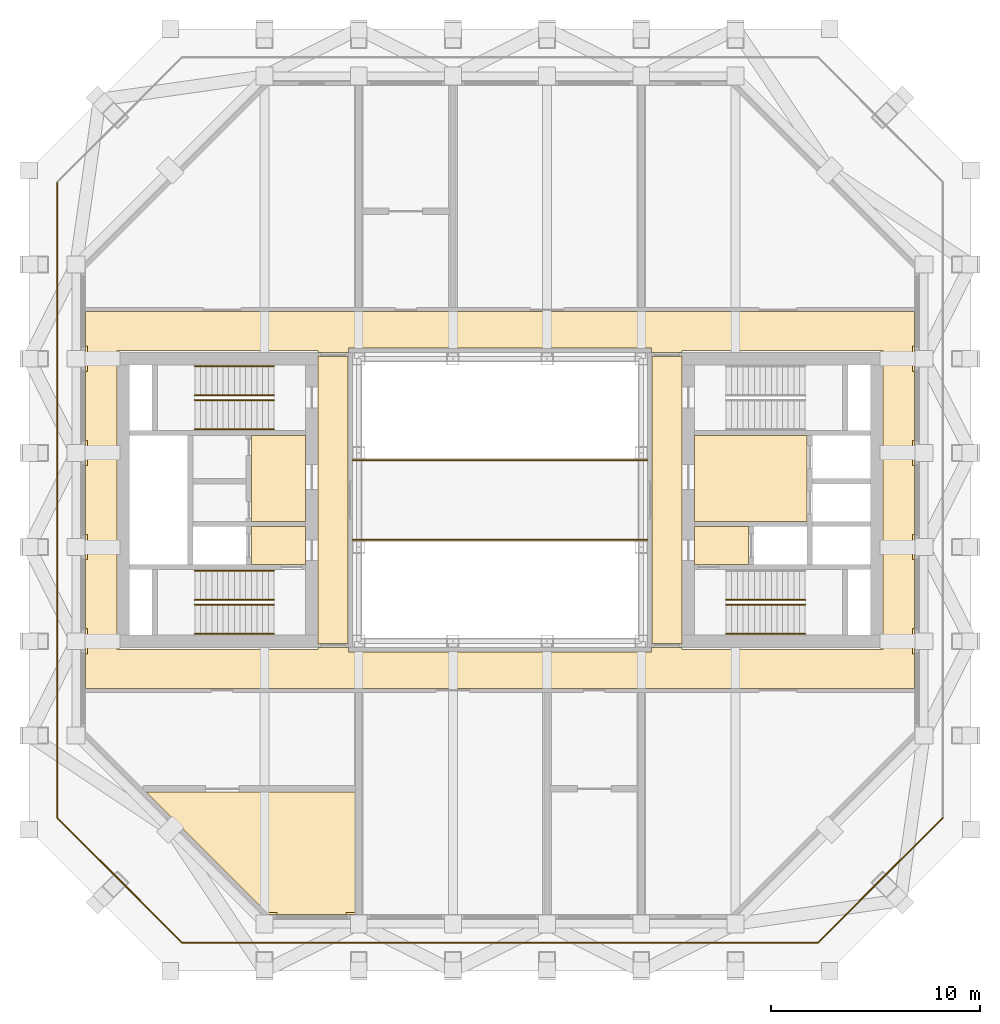
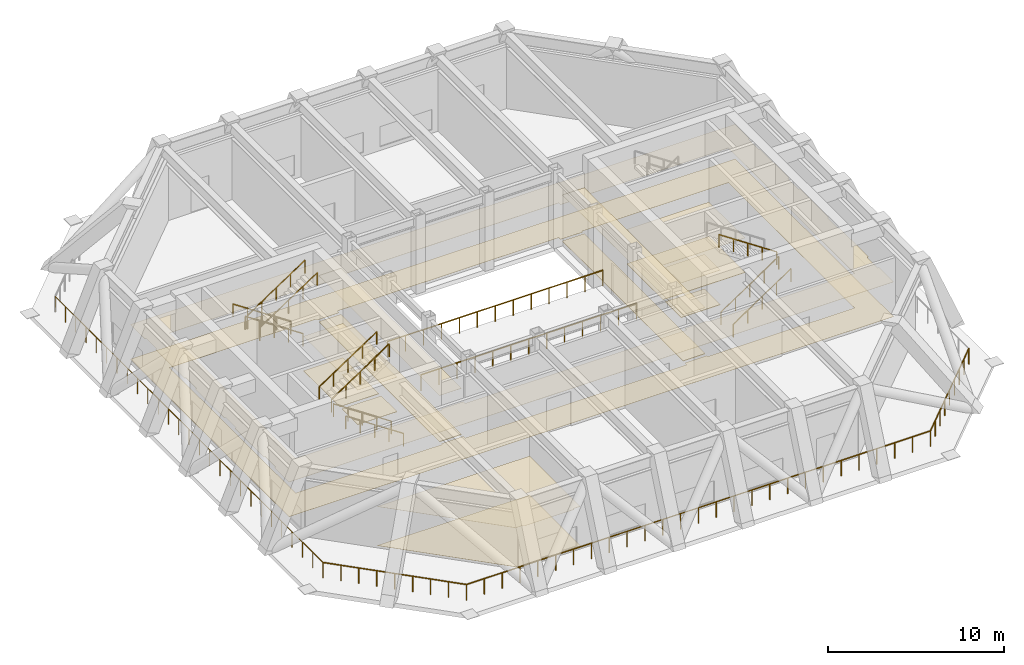
# One storey, part 7 of 8: 17 railings, 5 coverings.
"""IFC4 building model written with IfcOpenShell, lengths in metres."""

from ifc_helpers import new_model, si_unit, direction, frame, origin, origin_2d, place, context, subcontext, project, spatial, line, indexed_curve, circle, outline, extrude, material, layer, layer_set, type_object, element, save


model = new_model("IFC4")

# Units and contexts
model_context = context("Model", 3, precision=1e-05, world=origin(), true_north=direction((0.0, 1.0)))
body_context = subcontext(model_context, "Body", "Model", "MODEL_VIEW")
ifc_project = project(units=[si_unit("LENGTHUNIT", "METRE"), si_unit("AREAUNIT", "SQUARE_METRE"), si_unit("VOLUMEUNIT", "CUBIC_METRE"), si_unit("PLANEANGLEUNIT", "RADIAN"), si_unit("MASSUNIT", "GRAM", prefix="KILO")], contexts=[model_context])

# Site, building, storey
site_placement = place(None, origin())
site = spatial("IfcSite", under=ifc_project, at=site_placement, CompositionType="ELEMENT")
building_placement = place(site_placement, origin())
building = spatial("IfcBuilding", under=site, at=building_placement, Name="Msasa Ring Tower", CompositionType="ELEMENT")
storey_placement = place(building_placement, frame((0.0, 0.0, 190.39990234375)))
storey = spatial("IfcBuildingStorey", under=building, at=storey_placement, Name="L50", CompositionType="ELEMENT", Elevation=190.39990234375)

# Coverings
ifc_material_1 = material(Name="Gypsum plasterboard on a steel suspension grid", Category="steel")
ifc_layer_1 = layer(ifc_material_1, 0.014892578125)
ifc_layer_set_1 = layer_set([ifc_layer_1], Name="C1 SUSPENDED PLASTERBOARD CEILING 15")
covering_type_1 = type_object("IfcCoveringType", Name="C1 SUSPENDED PLASTERBOARD CEILING 15", PredefinedType="CEILING", material=ifc_layer_set_1)
covering_1_placement = place(storey_placement, frame((0.0, 0.0, 2.400146484375)))
element("IfcCovering", 1, at=covering_1_placement, inside=storey, type_object=covering_type_1, Name="Suspended Plasterboard Ceiling 15 circulation L50", PredefinedType="CEILING", context=body_context, shape_type="SweptSolid", body=[
    extrude(outline(indexed_curve([(-19.799560546875, -8.99951171875), (-19.799560546875, -7.3505859375), (-19.713623046875, -7.3505859375), (-19.713623046875, -6.1494140625), (-19.799560546875, -6.1494140625), (-19.799560546875, -2.8505859375), (-19.713623046875, -2.8505859375), (-19.713623046875, -1.6494140625), (-19.799560546875, -1.6494140625), (-19.799560546875, 1.6494140625), (-19.713623046875, 1.6494140625), (-19.713623046875, 2.8505859375), (-19.799560546875, 2.8505859375), (-19.799560546875, 6.1494140625), (-19.713623046875, 6.1494140625), (-19.713623046875, 7.3505859375), (-19.799560546875, 7.3505859375), (-19.799560546875, 8.99951171875), (19.799560546875, 8.99951171875), (19.799560546875, 7.3505859375), (19.713623046875, 7.3505859375), (19.713623046875, 6.1494140625), (19.799560546875, 6.1494140625), (19.799560546875, 2.8505859375), (19.713623046875, 2.8505859375), (19.713623046875, 1.6494140625), (19.799560546875, 1.6494140625), (19.799560546875, -1.6494140625), (19.713623046875, -1.6494140625), (19.713623046875, -2.8505859375), (19.799560546875, -2.8505859375), (19.799560546875, -6.1494140625), (19.713623046875, -6.1494140625), (19.713623046875, -7.3505859375), (19.799560546875, -7.3505859375), (19.799560546875, -8.99951171875)], segments=[line(1, 2, 3, 4, 5, 6, 7, 8, 9, 10, 11, 12, 13, 14, 15, 16, 17, 18, 19, 20, 21, 22, 23, 24, 25, 26, 27, 28, 29, 30, 31, 32, 33, 34, 35, 36, 1)], self_intersect=False), holes=[indexed_curve([(8.699462890625, -7.150390625), (18.300537109375, -7.150390625), (18.300537109375, 7.150390625), (8.699462890625, 7.150390625), (8.699462890625, 7.050537109375), (7.25, 7.050537109375), (7.25, 7.25048828125), (-7.25, 7.25048828125), (-7.25, 7.050537109375), (-8.699462890625, 7.050537109375), (-8.699462890625, 7.150390625), (-18.300537109375, 7.150390625), (-18.300537109375, -7.150390625), (-8.699462890625, -7.150390625), (-8.699462890625, -7.050537109375), (-7.25, -7.050537109375), (-7.25, -7.25048828125), (7.25, -7.25048828125), (7.25, -7.050537109375), (8.699462890625, -7.050537109375)], segments=[line(1, 2, 3, 4, 5, 6, 7, 8, 9, 10, 11, 12, 13, 14, 15, 16, 17, 18, 19, 20, 1)], self_intersect=False)]), origin(), (0.0, 0.0, 1.0), 0.014892578125),
    extrude(outline(indexed_curve([(-9.300537109375, -3.074462890625), (-11.87451171875, -3.074462890625), (-11.87451171875, -1.275390625), (-9.300537109375, -1.275390625)], segments=[line(1, 2, 3, 4, 1)], self_intersect=False)), origin(), (0.0, 0.0, 1.0), 0.014892578125),
    extrude(outline(indexed_curve([(-11.87451171875, -1.0244140625), (-11.87451171875, 3.074462890625), (-9.300537109375, 3.074462890625), (-9.300537109375, -1.0244140625)], segments=[line(1, 2, 3, 4, 1)], self_intersect=False)), origin(), (0.0, 0.0, 1.0), 0.014892578125),
    extrude(outline(indexed_curve([(11.87451171875, -3.074462890625), (9.300537109375, -3.074462890625), (9.300537109375, -1.275390625), (11.87451171875, -1.275390625)], segments=[line(1, 2, 3, 4, 1)], self_intersect=False)), origin(), (0.0, 0.0, 1.0), 0.014892578125),
    extrude(outline(indexed_curve([(9.300537109375, -1.0244140625), (9.300537109375, 3.074462890625), (14.674560546875, 3.074462890625), (14.674560546875, -1.0244140625)], segments=[line(1, 2, 3, 4, 1)], self_intersect=False)), origin(), (0.0, 0.0, 1.0), 0.014892578125),
])
covering_2_placement = place(storey_placement, frame((0.0, 0.0, 3.2001953125)))
element("IfcCovering", 2, at=covering_2_placement, inside=storey, type_object=covering_type_1, Name="Suspended Plasterboard Ceiling 15 public rooms L50", PredefinedType="CEILING", context=body_context, shape_type="SweptSolid", body=[
    extrude(outline(indexed_curve([(-7.25048828125, 6.849609375), (-7.25048828125, -6.849609375), (-8.699462890625, -6.849609375), (-8.699462890625, 6.849609375)], segments=[line(1, 2, 3, 4, 1)], self_intersect=False)), origin(), (0.0, 0.0, 1.0), 0.014892578125),
    extrude(outline(indexed_curve([(8.699462890625, 6.849609375), (8.699462890625, -6.849609375), (7.25048828125, -6.849609375), (7.25048828125, 6.849609375)], segments=[line(1, 2, 3, 4, 1)], self_intersect=False)), origin(), (0.0, 0.0, 1.0), 0.014892578125),
])
covering_3_placement = place(storey_placement, frame((0.0, 0.0, 2.7001953125)))
element("IfcCovering", 3, at=covering_3_placement, inside=storey, type_object=covering_type_1, Name="Suspended Plasterboard Ceiling 15 L50", PredefinedType="CEILING", context=body_context, shape_type="SweptSolid", body=[
    extrude(outline(indexed_curve([(-6.910400390625, -19.713623046875), (-7.3505859375, -19.713623046875), (-7.3505859375, -19.799560546875), (-10.6494140625, -19.799560546875), (-10.6494140625, -19.713623046875), (-11.1494140625, -19.713623046875), (-16.90234375, -13.96044921875), (-6.910400390625, -13.96044921875)], segments=[line(1, 2, 3, 4, 5, 6, 7, 8, 1)], self_intersect=False)), origin(), (0.0, 0.0, 1.0), 0.014892578125),
])
ifc_material_2 = material(Name="Honed granite tiles on a mortar bed", Category="masonry")
ifc_layer_2 = layer(ifc_material_2, 0.030029296875)
ifc_layer_set_2 = layer_set([ifc_layer_2], Name="F1 HONED GRANITE ON BEDDING 30")
covering_type_2 = type_object("IfcCoveringType", Name="F1 HONED GRANITE ON BEDDING 30", PredefinedType="FLOORING", material=ifc_layer_set_2)
covering_4_placement = place(storey_placement, origin())
element("IfcCovering", 4, at=covering_4_placement, inside=storey, type_object=covering_type_2, Name="Honed Granite On Bedding 30 L50", PredefinedType="FLOORING", context=body_context, shape_type="SweptSolid", body=[
    extrude(outline(indexed_curve([(-11.87451171875, -3.074462890625), (-11.87451171875, -1.275390625), (-9.300537109375, -1.275390625), (-9.300537109375, -3.074462890625)], segments=[line(1, 2, 3, 4, 1)], self_intersect=False)), origin(), (0.0, 0.0, 1.0), 0.030029296875),
    extrude(outline(indexed_curve([(-11.87451171875, 3.074462890625), (-9.300537109375, 3.074462890625), (-9.300537109375, -1.0244140625), (-11.87451171875, -1.0244140625)], segments=[line(1, 2, 3, 4, 1)], self_intersect=False)), origin(), (0.0, 0.0, 1.0), 0.030029296875),
    extrude(outline(indexed_curve([(-8.699462890625, 6.849609375), (-7.25048828125, 6.849609375), (-7.25048828125, -6.849609375), (-8.699462890625, -6.849609375)], segments=[line(1, 2, 3, 4, 1)], self_intersect=False)), origin(), (0.0, 0.0, 1.0), 0.030029296875),
    extrude(outline(indexed_curve([(7.25048828125, -6.849609375), (7.25048828125, 6.849609375), (8.699462890625, 6.849609375), (8.699462890625, -6.849609375)], segments=[line(1, 2, 3, 4, 1)], self_intersect=False)), origin(), (0.0, 0.0, 1.0), 0.030029296875),
    extrude(outline(indexed_curve([(9.300537109375, -1.275390625), (11.87451171875, -1.275390625), (11.87451171875, -3.074462890625), (9.300537109375, -3.074462890625)], segments=[line(1, 2, 3, 4, 1)], self_intersect=False)), origin(), (0.0, 0.0, 1.0), 0.030029296875),
    extrude(outline(indexed_curve([(9.300537109375, 3.074462890625), (14.674560546875, 3.074462890625), (14.674560546875, -1.0244140625), (9.300537109375, -1.0244140625)], segments=[line(1, 2, 3, 4, 1)], self_intersect=False)), origin(), (0.0, 0.0, 1.0), 0.030029296875),
])
ifc_material_3 = material(Name="Wool-blend carpet on felt underlay", Category="textile")
ifc_layer_3 = layer(ifc_material_3, 0.011962890625)
ifc_layer_set_3 = layer_set([ifc_layer_3], Name="F2 CARPET ON UNDERLAY 12")
covering_type_3 = type_object("IfcCoveringType", Name="F2 CARPET ON UNDERLAY 12", PredefinedType="FLOORING", material=ifc_layer_set_3)
covering_5_placement = place(storey_placement, origin())
element("IfcCovering", 5, at=covering_5_placement, inside=storey, type_object=covering_type_3, Name="Carpet On Underlay 12 L50", PredefinedType="FLOORING", context=body_context, shape_type="SweptSolid", body=[
    extrude(outline(indexed_curve([(-19.799560546875, -8.99951171875), (-19.799560546875, 8.99951171875), (19.799560546875, 8.99951171875), (19.799560546875, -8.99951171875)], segments=[line(1, 2, 3, 4, 1)], self_intersect=False), holes=[indexed_curve([(8.699462890625, -7.150390625), (18.300537109375, -7.150390625), (18.300537109375, 7.150390625), (8.699462890625, 7.150390625), (8.699462890625, 7.050537109375), (7.25, 7.050537109375), (7.25, 7.25048828125), (-7.25, 7.25048828125), (-7.25, 7.050537109375), (-8.699462890625, 7.050537109375), (-8.699462890625, 7.150390625), (-18.300537109375, 7.150390625), (-18.300537109375, -7.150390625), (-8.699462890625, -7.150390625), (-8.699462890625, -7.050537109375), (-7.25, -7.050537109375), (-7.25, -7.25048828125), (7.25, -7.25048828125), (7.25, -7.050537109375), (8.699462890625, -7.050537109375)], segments=[line(1, 2, 3, 4, 5, 6, 7, 8, 9, 10, 11, 12, 13, 14, 15, 16, 17, 18, 19, 20, 1)], self_intersect=False)]), origin(), (0.0, 0.0, 1.0), 0.01220703125),
    extrude(outline(indexed_curve([(-16.90234375, -13.96044921875), (-6.910400390625, -13.96044921875), (-6.910400390625, -19.799560546875), (-11.0634765625, -19.799560546875)], segments=[line(1, 2, 3, 4, 1)], self_intersect=False)), origin(), (0.0, 0.0, 1.0), 0.01220703125),
])

# Railings
ifc_material_4 = material(Name="Stainless steel and laminated glass", Category="steel")
railing_type_1 = type_object("IfcRailingType", Name="GR2 TERRACE GUARD 1100", PredefinedType="GUARDRAIL", material=ifc_material_4)
railing_1_placement = place(storey_placement, frame((-15.19091796875, -21.14990234375, 0.0)))
element("IfcRailing", 6, at=railing_1_placement, inside=storey, type_object=railing_type_1, Name="Refuge terrace guard S L50", PredefinedType="GUARDRAIL", context=body_context, shape_type="SweptSolid", body=[
    extrude(circle(Radius=0.02392578125, at=origin_2d()), frame((0.0, 0.0, 1.076171875), z_axis=(1.0, 0.0, 0.0), x_axis=(0.0, 1.0, 0.0)), (0.0, 0.0, 1.0), 30.3818359375),
    extrude(circle(Radius=0.02099609375, at=origin_2d()), origin(), (0.0, 0.0, 1.0), 1.052001953125),
    extrude(circle(Radius=0.02099609375, at=origin_2d()), frame((1.16845703125, 0.0, 0.0)), (0.0, 0.0, 1.0), 1.052001953125),
    extrude(circle(Radius=0.02099609375, at=origin_2d()), frame((2.337158203125, 0.0, 0.0)), (0.0, 0.0, 1.0), 1.052001953125),
    extrude(circle(Radius=0.02099609375, at=origin_2d()), frame((3.505615234375, 0.0, 0.0)), (0.0, 0.0, 1.0), 1.052001953125),
    extrude(circle(Radius=0.02099609375, at=origin_2d()), frame((4.674072265625, 0.0, 0.0)), (0.0, 0.0, 1.0), 1.052001953125),
    extrude(circle(Radius=0.02099609375, at=origin_2d()), frame((5.8427734375, 0.0, 0.0)), (0.0, 0.0, 1.0), 1.052001953125),
    extrude(circle(Radius=0.02099609375, at=origin_2d()), frame((7.01123046875, 0.0, 0.0)), (0.0, 0.0, 1.0), 1.052001953125),
    extrude(circle(Radius=0.02099609375, at=origin_2d()), frame((8.1796875, 0.0, 0.0)), (0.0, 0.0, 1.0), 1.052001953125),
    extrude(circle(Radius=0.02099609375, at=origin_2d()), frame((9.34814453125, 0.0, 0.0)), (0.0, 0.0, 1.0), 1.052001953125),
    extrude(circle(Radius=0.02099609375, at=origin_2d()), frame((10.516845703125, 0.0, 0.0)), (0.0, 0.0, 1.0), 1.052001953125),
    extrude(circle(Radius=0.02099609375, at=origin_2d()), frame((11.685302734375, 0.0, 0.0)), (0.0, 0.0, 1.0), 1.052001953125),
    extrude(circle(Radius=0.02099609375, at=origin_2d()), frame((12.853759765625, 0.0, 0.0)), (0.0, 0.0, 1.0), 1.052001953125),
    extrude(circle(Radius=0.02099609375, at=origin_2d()), frame((14.0224609375, 0.0, 0.0)), (0.0, 0.0, 1.0), 1.052001953125),
    extrude(circle(Radius=0.02099609375, at=origin_2d()), frame((15.19091796875, 0.0, 0.0)), (0.0, 0.0, 1.0), 1.052001953125),
    extrude(circle(Radius=0.02099609375, at=origin_2d()), frame((16.359375, 0.0, 0.0)), (0.0, 0.0, 1.0), 1.052001953125),
    extrude(circle(Radius=0.02099609375, at=origin_2d()), frame((17.528076171875, 0.0, 0.0)), (0.0, 0.0, 1.0), 1.052001953125),
    extrude(circle(Radius=0.02099609375, at=origin_2d()), frame((18.696533203125, 0.0, 0.0)), (0.0, 0.0, 1.0), 1.052001953125),
    extrude(circle(Radius=0.02099609375, at=origin_2d()), frame((19.864990234375, 0.0, 0.0)), (0.0, 0.0, 1.0), 1.052001953125),
    extrude(circle(Radius=0.02099609375, at=origin_2d()), frame((21.03369140625, 0.0, 0.0)), (0.0, 0.0, 1.0), 1.052001953125),
    extrude(circle(Radius=0.02099609375, at=origin_2d()), frame((22.2021484375, 0.0, 0.0)), (0.0, 0.0, 1.0), 1.052001953125),
    extrude(circle(Radius=0.02099609375, at=origin_2d()), frame((23.37060546875, 0.0, 0.0)), (0.0, 0.0, 1.0), 1.052001953125),
    extrude(circle(Radius=0.02099609375, at=origin_2d()), frame((24.5390625, 0.0, 0.0)), (0.0, 0.0, 1.0), 1.052001953125),
    extrude(circle(Radius=0.02099609375, at=origin_2d()), frame((25.707763671875, 0.0, 0.0)), (0.0, 0.0, 1.0), 1.052001953125),
    extrude(circle(Radius=0.02099609375, at=origin_2d()), frame((26.876220703125, 0.0, 0.0)), (0.0, 0.0, 1.0), 1.052001953125),
    extrude(circle(Radius=0.02099609375, at=origin_2d()), frame((28.044677734375, 0.0, 0.0)), (0.0, 0.0, 1.0), 1.052001953125),
    extrude(circle(Radius=0.02099609375, at=origin_2d()), frame((29.21337890625, 0.0, 0.0)), (0.0, 0.0, 1.0), 1.052001953125),
    extrude(circle(Radius=0.02099609375, at=origin_2d()), frame((30.3818359375, 0.0, 0.0)), (0.0, 0.0, 1.0), 1.052001953125),
])
railing_2_placement = place(storey_placement, frame((15.19091796875, -21.14990234375, 0.0)))
element("IfcRailing", 7, at=railing_2_placement, inside=storey, type_object=railing_type_1, Name="Refuge terrace guard SE L50", PredefinedType="GUARDRAIL", context=body_context, shape_type="SweptSolid", body=[
    extrude(circle(Radius=0.02392578125, at=origin_2d()), frame((0.0, 0.0, 1.076171875), z_axis=(0.707106781187, 0.707106781187, 0.0), x_axis=(-0.707106781187, 0.707106781187, 0.0)), (0.0, 0.0, 1.0), 8.42724609375),
    extrude(circle(Radius=0.02099609375, at=origin_2d()), origin(), (0.0, 0.0, 1.0), 1.052001953125),
    extrude(circle(Radius=0.02099609375, at=origin_2d()), frame((0.744873046875, 0.744873046875, 0.0)), (0.0, 0.0, 1.0), 1.052001953125),
    extrude(circle(Radius=0.02099609375, at=origin_2d()), frame((1.48974609375, 1.48974609375, 0.0)), (0.0, 0.0, 1.0), 1.052001953125),
    extrude(circle(Radius=0.02099609375, at=origin_2d()), frame((2.234619140625, 2.234619140625, 0.0)), (0.0, 0.0, 1.0), 1.052001953125),
    extrude(circle(Radius=0.02099609375, at=origin_2d()), frame((2.9794921875, 2.9794921875, 0.0)), (0.0, 0.0, 1.0), 1.052001953125),
    extrude(circle(Radius=0.02099609375, at=origin_2d()), frame((3.724365234375, 3.724365234375, 0.0)), (0.0, 0.0, 1.0), 1.052001953125),
    extrude(circle(Radius=0.02099609375, at=origin_2d()), frame((4.46923828125, 4.46923828125, 0.0)), (0.0, 0.0, 1.0), 1.052001953125),
    extrude(circle(Radius=0.02099609375, at=origin_2d()), frame((5.214111328125, 5.214111328125, 0.0)), (0.0, 0.0, 1.0), 1.052001953125),
    extrude(circle(Radius=0.02099609375, at=origin_2d()), frame((5.958984375, 5.958984375, 0.0)), (0.0, 0.0, 1.0), 1.052001953125),
])
railing_3_placement = place(storey_placement, frame((-21.14990234375, 15.19091796875, 0.0)))
element("IfcRailing", 8, at=railing_3_placement, inside=storey, type_object=railing_type_1, Name="Refuge terrace guard W L50", PredefinedType="GUARDRAIL", context=body_context, shape_type="SweptSolid", body=[
    extrude(circle(Radius=0.02392578125, at=origin_2d()), frame((0.0, 0.0, 1.076171875), z_axis=(0.0, -1.0, 0.0), x_axis=(1.0, 0.0, 0.0)), (0.0, 0.0, 1.0), 30.3818359375),
    extrude(circle(Radius=0.02099609375, at=origin_2d()), origin(), (0.0, 0.0, 1.0), 1.052001953125),
    extrude(circle(Radius=0.02099609375, at=origin_2d()), frame((0.0, -1.16845703125, 0.0)), (0.0, 0.0, 1.0), 1.052001953125),
    extrude(circle(Radius=0.02099609375, at=origin_2d()), frame((0.0, -2.337158203125, 0.0)), (0.0, 0.0, 1.0), 1.052001953125),
    extrude(circle(Radius=0.02099609375, at=origin_2d()), frame((0.0, -3.505615234375, 0.0)), (0.0, 0.0, 1.0), 1.052001953125),
    extrude(circle(Radius=0.02099609375, at=origin_2d()), frame((0.0, -4.674072265625, 0.0)), (0.0, 0.0, 1.0), 1.052001953125),
    extrude(circle(Radius=0.02099609375, at=origin_2d()), frame((0.0, -5.8427734375, 0.0)), (0.0, 0.0, 1.0), 1.052001953125),
    extrude(circle(Radius=0.02099609375, at=origin_2d()), frame((0.0, -7.01123046875, 0.0)), (0.0, 0.0, 1.0), 1.052001953125),
    extrude(circle(Radius=0.02099609375, at=origin_2d()), frame((0.0, -8.1796875, 0.0)), (0.0, 0.0, 1.0), 1.052001953125),
    extrude(circle(Radius=0.02099609375, at=origin_2d()), frame((0.0, -9.34814453125, 0.0)), (0.0, 0.0, 1.0), 1.052001953125),
    extrude(circle(Radius=0.02099609375, at=origin_2d()), frame((0.0, -10.516845703125, 0.0)), (0.0, 0.0, 1.0), 1.052001953125),
    extrude(circle(Radius=0.02099609375, at=origin_2d()), frame((0.0, -11.685302734375, 0.0)), (0.0, 0.0, 1.0), 1.052001953125),
    extrude(circle(Radius=0.02099609375, at=origin_2d()), frame((0.0, -12.853759765625, 0.0)), (0.0, 0.0, 1.0), 1.052001953125),
    extrude(circle(Radius=0.02099609375, at=origin_2d()), frame((0.0, -14.0224609375, 0.0)), (0.0, 0.0, 1.0), 1.052001953125),
    extrude(circle(Radius=0.02099609375, at=origin_2d()), frame((0.0, -15.19091796875, 0.0)), (0.0, 0.0, 1.0), 1.052001953125),
    extrude(circle(Radius=0.02099609375, at=origin_2d()), frame((0.0, -16.359375, 0.0)), (0.0, 0.0, 1.0), 1.052001953125),
    extrude(circle(Radius=0.02099609375, at=origin_2d()), frame((0.0, -17.528076171875, 0.0)), (0.0, 0.0, 1.0), 1.052001953125),
    extrude(circle(Radius=0.02099609375, at=origin_2d()), frame((0.0, -18.696533203125, 0.0)), (0.0, 0.0, 1.0), 1.052001953125),
    extrude(circle(Radius=0.02099609375, at=origin_2d()), frame((0.0, -19.864990234375, 0.0)), (0.0, 0.0, 1.0), 1.052001953125),
    extrude(circle(Radius=0.02099609375, at=origin_2d()), frame((0.0, -21.03369140625, 0.0)), (0.0, 0.0, 1.0), 1.052001953125),
    extrude(circle(Radius=0.02099609375, at=origin_2d()), frame((0.0, -22.2021484375, 0.0)), (0.0, 0.0, 1.0), 1.052001953125),
    extrude(circle(Radius=0.02099609375, at=origin_2d()), frame((0.0, -23.37060546875, 0.0)), (0.0, 0.0, 1.0), 1.052001953125),
    extrude(circle(Radius=0.02099609375, at=origin_2d()), frame((0.0, -24.5390625, 0.0)), (0.0, 0.0, 1.0), 1.052001953125),
    extrude(circle(Radius=0.02099609375, at=origin_2d()), frame((0.0, -25.707763671875, 0.0)), (0.0, 0.0, 1.0), 1.052001953125),
    extrude(circle(Radius=0.02099609375, at=origin_2d()), frame((0.0, -26.876220703125, 0.0)), (0.0, 0.0, 1.0), 1.052001953125),
    extrude(circle(Radius=0.02099609375, at=origin_2d()), frame((0.0, -28.044677734375, 0.0)), (0.0, 0.0, 1.0), 1.052001953125),
    extrude(circle(Radius=0.02099609375, at=origin_2d()), frame((0.0, -29.21337890625, 0.0)), (0.0, 0.0, 1.0), 1.052001953125),
    extrude(circle(Radius=0.02099609375, at=origin_2d()), frame((0.0, -30.3818359375, 0.0)), (0.0, 0.0, 1.0), 1.052001953125),
])
railing_4_placement = place(storey_placement, frame((-21.14990234375, -15.19091796875, 0.0)))
element("IfcRailing", 9, at=railing_4_placement, inside=storey, type_object=railing_type_1, Name="Refuge terrace guard SW L50", PredefinedType="GUARDRAIL", context=body_context, shape_type="SweptSolid", body=[
    extrude(circle(Radius=0.02392578125, at=origin_2d()), frame((0.0, 0.0, 1.076171875), z_axis=(0.707106781187, -0.707106781187, 0.0), x_axis=(0.707106781187, 0.707106781187, 0.0)), (0.0, 0.0, 1.0), 8.42724609375),
    extrude(circle(Radius=0.02099609375, at=origin_2d()), origin(), (0.0, 0.0, 1.0), 1.052001953125),
    extrude(circle(Radius=0.02099609375, at=origin_2d()), frame((0.744873046875, -0.744873046875, 0.0)), (0.0, 0.0, 1.0), 1.052001953125),
    extrude(circle(Radius=0.02099609375, at=origin_2d()), frame((1.48974609375, -1.48974609375, 0.0)), (0.0, 0.0, 1.0), 1.052001953125),
    extrude(circle(Radius=0.02099609375, at=origin_2d()), frame((2.234619140625, -2.234619140625, 0.0)), (0.0, 0.0, 1.0), 1.052001953125),
    extrude(circle(Radius=0.02099609375, at=origin_2d()), frame((2.9794921875, -2.9794921875, 0.0)), (0.0, 0.0, 1.0), 1.052001953125),
    extrude(circle(Radius=0.02099609375, at=origin_2d()), frame((3.724365234375, -3.724365234375, 0.0)), (0.0, 0.0, 1.0), 1.052001953125),
    extrude(circle(Radius=0.02099609375, at=origin_2d()), frame((4.46923828125, -4.46923828125, 0.0)), (0.0, 0.0, 1.0), 1.052001953125),
    extrude(circle(Radius=0.02099609375, at=origin_2d()), frame((5.214111328125, -5.214111328125, 0.0)), (0.0, 0.0, 1.0), 1.052001953125),
    extrude(circle(Radius=0.02099609375, at=origin_2d()), frame((5.958984375, -5.958984375, 0.0)), (0.0, 0.0, 1.0), 1.052001953125),
])
railing_5_placement = place(storey_placement, frame((-7.050048828125, -1.89990234375, 0.0)))
element("IfcRailing", 10, at=railing_5_placement, inside=storey, type_object=railing_type_1, Name="Well bridge guard -1.90 L50", PredefinedType="GUARDRAIL", context=body_context, shape_type="SweptSolid", body=[
    extrude(circle(Radius=0.02392578125, at=origin_2d()), frame((0.0, 0.0, 1.076171875), z_axis=(1.0, 0.0, 0.0), x_axis=(0.0, 1.0, 0.0)), (0.0, 0.0, 1.0), 14.10009765625),
    extrude(circle(Radius=0.02099609375, at=origin_2d()), origin(), (0.0, 0.0, 1.0), 1.052001953125),
    extrude(circle(Radius=0.02099609375, at=origin_2d()), frame((1.175048828125, 0.0, 0.0)), (0.0, 0.0, 1.0), 1.052001953125),
    extrude(circle(Radius=0.02099609375, at=origin_2d()), frame((2.35009765625, 0.0, 0.0)), (0.0, 0.0, 1.0), 1.052001953125),
    extrude(circle(Radius=0.02099609375, at=origin_2d()), frame((3.52490234375, 0.0, 0.0)), (0.0, 0.0, 1.0), 1.052001953125),
    extrude(circle(Radius=0.02099609375, at=origin_2d()), frame((4.699951171875, 0.0, 0.0)), (0.0, 0.0, 1.0), 1.052001953125),
    extrude(circle(Radius=0.02099609375, at=origin_2d()), frame((5.875, 0.0, 0.0)), (0.0, 0.0, 1.0), 1.052001953125),
    extrude(circle(Radius=0.02099609375, at=origin_2d()), frame((7.050048828125, 0.0, 0.0)), (0.0, 0.0, 1.0), 1.052001953125),
    extrude(circle(Radius=0.02099609375, at=origin_2d()), frame((8.22509765625, 0.0, 0.0)), (0.0, 0.0, 1.0), 1.052001953125),
    extrude(circle(Radius=0.02099609375, at=origin_2d()), frame((9.400146484375, 0.0, 0.0)), (0.0, 0.0, 1.0), 1.052001953125),
    extrude(circle(Radius=0.02099609375, at=origin_2d()), frame((10.5751953125, 0.0, 0.0)), (0.0, 0.0, 1.0), 1.052001953125),
    extrude(circle(Radius=0.02099609375, at=origin_2d()), frame((11.75, 0.0, 0.0)), (0.0, 0.0, 1.0), 1.052001953125),
    extrude(circle(Radius=0.02099609375, at=origin_2d()), frame((12.925048828125, 0.0, 0.0)), (0.0, 0.0, 1.0), 1.052001953125),
    extrude(circle(Radius=0.02099609375, at=origin_2d()), frame((14.10009765625, 0.0, 0.0)), (0.0, 0.0, 1.0), 1.052001953125),
])
railing_6_placement = place(storey_placement, frame((-7.050048828125, 1.89990234375, 0.0)))
element("IfcRailing", 11, at=railing_6_placement, inside=storey, type_object=railing_type_1, Name="Well bridge guard +1.90 L50", PredefinedType="GUARDRAIL", context=body_context, shape_type="SweptSolid", body=[
    extrude(circle(Radius=0.02392578125, at=origin_2d()), frame((0.0, 0.0, 1.076171875), z_axis=(1.0, 0.0, 0.0), x_axis=(0.0, 1.0, 0.0)), (0.0, 0.0, 1.0), 14.10009765625),
    extrude(circle(Radius=0.02099609375, at=origin_2d()), origin(), (0.0, 0.0, 1.0), 1.052001953125),
    extrude(circle(Radius=0.02099609375, at=origin_2d()), frame((1.175048828125, 0.0, 0.0)), (0.0, 0.0, 1.0), 1.052001953125),
    extrude(circle(Radius=0.02099609375, at=origin_2d()), frame((2.35009765625, 0.0, 0.0)), (0.0, 0.0, 1.0), 1.052001953125),
    extrude(circle(Radius=0.02099609375, at=origin_2d()), frame((3.52490234375, 0.0, 0.0)), (0.0, 0.0, 1.0), 1.052001953125),
    extrude(circle(Radius=0.02099609375, at=origin_2d()), frame((4.699951171875, 0.0, 0.0)), (0.0, 0.0, 1.0), 1.052001953125),
    extrude(circle(Radius=0.02099609375, at=origin_2d()), frame((5.875, 0.0, 0.0)), (0.0, 0.0, 1.0), 1.052001953125),
    extrude(circle(Radius=0.02099609375, at=origin_2d()), frame((7.050048828125, 0.0, 0.0)), (0.0, 0.0, 1.0), 1.052001953125),
    extrude(circle(Radius=0.02099609375, at=origin_2d()), frame((8.22509765625, 0.0, 0.0)), (0.0, 0.0, 1.0), 1.052001953125),
    extrude(circle(Radius=0.02099609375, at=origin_2d()), frame((9.400146484375, 0.0, 0.0)), (0.0, 0.0, 1.0), 1.052001953125),
    extrude(circle(Radius=0.02099609375, at=origin_2d()), frame((10.5751953125, 0.0, 0.0)), (0.0, 0.0, 1.0), 1.052001953125),
    extrude(circle(Radius=0.02099609375, at=origin_2d()), frame((11.75, 0.0, 0.0)), (0.0, 0.0, 1.0), 1.052001953125),
    extrude(circle(Radius=0.02099609375, at=origin_2d()), frame((12.925048828125, 0.0, 0.0)), (0.0, 0.0, 1.0), 1.052001953125),
    extrude(circle(Radius=0.02099609375, at=origin_2d()), frame((14.10009765625, 0.0, 0.0)), (0.0, 0.0, 1.0), 1.052001953125),
])
ifc_material_5 = material(Name="Stainless steel", Category="steel")
railing_type_2 = type_object("IfcRailingType", Name="HR1 HANDRAIL 900", PredefinedType="HANDRAIL", material=ifc_material_5)
for number, where, name in (
    (12, (10.800048828125, -6.39990234375, 0.18017578125), "Handrail stair SEA L50 1"),
    (13, (10.800048828125, -5.0, 0.18017578125), "Handrail stair SEA L50 2"),
):
    element("IfcRailing", number, at=place(storey_placement, frame(where)), inside=storey, type_object=railing_type_2, Name=name, PredefinedType="HANDRAIL", context=body_context, shape_type="SweptSolid", body=[
        extrude(circle(Radius=0.02392578125, at=origin_2d()), frame((0.0, 0.0, 0.8759765625), z_axis=(0.832050294338, 0.0, 0.554700196225), x_axis=(0.0, 1.0, 0.0)), (0.0, 0.0, 1.0), 4.54296875),
        extrude(circle(Radius=0.02099609375, at=origin_2d()), origin(), (0.0, 0.0, 1.0), 0.851806640625),
        extrude(circle(Radius=0.02099609375, at=origin_2d()), frame((0.945068359375, 0.0, 0.6298828125)), (0.0, 0.0, 1.0), 0.851806640625),
        extrude(circle(Radius=0.02099609375, at=origin_2d()), frame((1.89013671875, 0.0, 1.260009765625)), (0.0, 0.0, 1.0), 0.851806640625),
        extrude(circle(Radius=0.02099609375, at=origin_2d()), frame((2.8349609375, 0.0, 1.89013671875)), (0.0, 0.0, 1.0), 0.851806640625),
        extrude(circle(Radius=0.02099609375, at=origin_2d()), frame((3.780029296875, 0.0, 2.52001953125)), (0.0, 0.0, 1.0), 0.851806640625),
    ])
for number, where, name in (
    (14, (14.580078125, -4.77490234375, 2.880126953125), "Handrail stair SEA L50 3"),
    (15, (-10.800048828125, -6.39990234375, 0.18017578125), "Handrail stair SWA L50 1"),
    (16, (-10.800048828125, -5.0, 0.18017578125), "Handrail stair SWA L50 2"),
):
    element("IfcRailing", number, at=place(storey_placement, frame(where)), inside=storey, type_object=railing_type_2, Name=name, PredefinedType="HANDRAIL", context=body_context, shape_type="SweptSolid", body=[
        extrude(circle(Radius=0.02392578125, at=origin_2d()), frame((0.0, 0.0, 0.8759765625), z_axis=(-0.832050294338, 0.0, 0.554700196225), x_axis=(0.0, -1.0, 0.0)), (0.0, 0.0, 1.0), 4.54296875),
        extrude(circle(Radius=0.02099609375, at=origin_2d()), origin(), (0.0, 0.0, 1.0), 0.851806640625),
        extrude(circle(Radius=0.02099609375, at=origin_2d()), frame((-0.945068359375, 0.0, 0.6298828125)), (0.0, 0.0, 1.0), 0.851806640625),
        extrude(circle(Radius=0.02099609375, at=origin_2d()), frame((-1.89013671875, 0.0, 1.260009765625)), (0.0, 0.0, 1.0), 0.851806640625),
        extrude(circle(Radius=0.02099609375, at=origin_2d()), frame((-2.8349609375, 0.0, 1.89013671875)), (0.0, 0.0, 1.0), 0.851806640625),
        extrude(circle(Radius=0.02099609375, at=origin_2d()), frame((-3.780029296875, 0.0, 2.52001953125)), (0.0, 0.0, 1.0), 0.851806640625),
    ])
for number, where, name in (
    (17, (-14.580078125, -4.77490234375, 2.880126953125), "Handrail stair SWA L50 3"),
    (18, (-14.580078125, -3.375, 2.880126953125), "Handrail stair SWA L50 4"),
):
    element("IfcRailing", number, at=place(storey_placement, frame(where)), inside=storey, type_object=railing_type_2, Name=name, PredefinedType="HANDRAIL", context=body_context, shape_type="SweptSolid", body=[
        extrude(circle(Radius=0.02392578125, at=origin_2d()), frame((0.0, 0.0, 0.8759765625), z_axis=(0.832050294338, 0.0, 0.554700196225), x_axis=(0.0, 1.0, 0.0)), (0.0, 0.0, 1.0), 4.54296875),
        extrude(circle(Radius=0.02099609375, at=origin_2d()), origin(), (0.0, 0.0, 1.0), 0.851806640625),
        extrude(circle(Radius=0.02099609375, at=origin_2d()), frame((0.945068359375, 0.0, 0.6298828125)), (0.0, 0.0, 1.0), 0.851806640625),
        extrude(circle(Radius=0.02099609375, at=origin_2d()), frame((1.89013671875, 0.0, 1.260009765625)), (0.0, 0.0, 1.0), 0.851806640625),
        extrude(circle(Radius=0.02099609375, at=origin_2d()), frame((2.8349609375, 0.0, 1.89013671875)), (0.0, 0.0, 1.0), 0.851806640625),
        extrude(circle(Radius=0.02099609375, at=origin_2d()), frame((3.780029296875, 0.0, 2.52001953125)), (0.0, 0.0, 1.0), 0.851806640625),
    ])
for number, where, name in (
    (19, (-10.800048828125, 5.0, 0.18017578125), "Handrail stair SWB L50 1"),
    (20, (-10.800048828125, 6.39990234375, 0.18017578125), "Handrail stair SWB L50 2"),
):
    element("IfcRailing", number, at=place(storey_placement, frame(where)), inside=storey, type_object=railing_type_2, Name=name, PredefinedType="HANDRAIL", context=body_context, shape_type="SweptSolid", body=[
        extrude(circle(Radius=0.02392578125, at=origin_2d()), frame((0.0, 0.0, 0.8759765625), z_axis=(-0.832050294338, 0.0, 0.554700196225), x_axis=(0.0, -1.0, 0.0)), (0.0, 0.0, 1.0), 4.54296875),
        extrude(circle(Radius=0.02099609375, at=origin_2d()), origin(), (0.0, 0.0, 1.0), 0.851806640625),
        extrude(circle(Radius=0.02099609375, at=origin_2d()), frame((-0.945068359375, 0.0, 0.6298828125)), (0.0, 0.0, 1.0), 0.851806640625),
        extrude(circle(Radius=0.02099609375, at=origin_2d()), frame((-1.89013671875, 0.0, 1.260009765625)), (0.0, 0.0, 1.0), 0.851806640625),
        extrude(circle(Radius=0.02099609375, at=origin_2d()), frame((-2.8349609375, 0.0, 1.89013671875)), (0.0, 0.0, 1.0), 0.851806640625),
        extrude(circle(Radius=0.02099609375, at=origin_2d()), frame((-3.780029296875, 0.0, 2.52001953125)), (0.0, 0.0, 1.0), 0.851806640625),
    ])
for number, where, name in (
    (21, (-14.580078125, 3.375, 2.880126953125), "Handrail stair SWB L50 3"),
    (22, (-14.580078125, 4.77490234375, 2.880126953125), "Handrail stair SWB L50 4"),
):
    element("IfcRailing", number, at=place(storey_placement, frame(where)), inside=storey, type_object=railing_type_2, Name=name, PredefinedType="HANDRAIL", context=body_context, shape_type="SweptSolid", body=[
        extrude(circle(Radius=0.02392578125, at=origin_2d()), frame((0.0, 0.0, 0.8759765625), z_axis=(0.832050294338, 0.0, 0.554700196225), x_axis=(0.0, 1.0, 0.0)), (0.0, 0.0, 1.0), 4.54296875),
        extrude(circle(Radius=0.02099609375, at=origin_2d()), origin(), (0.0, 0.0, 1.0), 0.851806640625),
        extrude(circle(Radius=0.02099609375, at=origin_2d()), frame((0.945068359375, 0.0, 0.6298828125)), (0.0, 0.0, 1.0), 0.851806640625),
        extrude(circle(Radius=0.02099609375, at=origin_2d()), frame((1.89013671875, 0.0, 1.260009765625)), (0.0, 0.0, 1.0), 0.851806640625),
        extrude(circle(Radius=0.02099609375, at=origin_2d()), frame((2.8349609375, 0.0, 1.89013671875)), (0.0, 0.0, 1.0), 0.851806640625),
        extrude(circle(Radius=0.02099609375, at=origin_2d()), frame((3.780029296875, 0.0, 2.52001953125)), (0.0, 0.0, 1.0), 0.851806640625),
    ])

save(model, "model.ifc")
